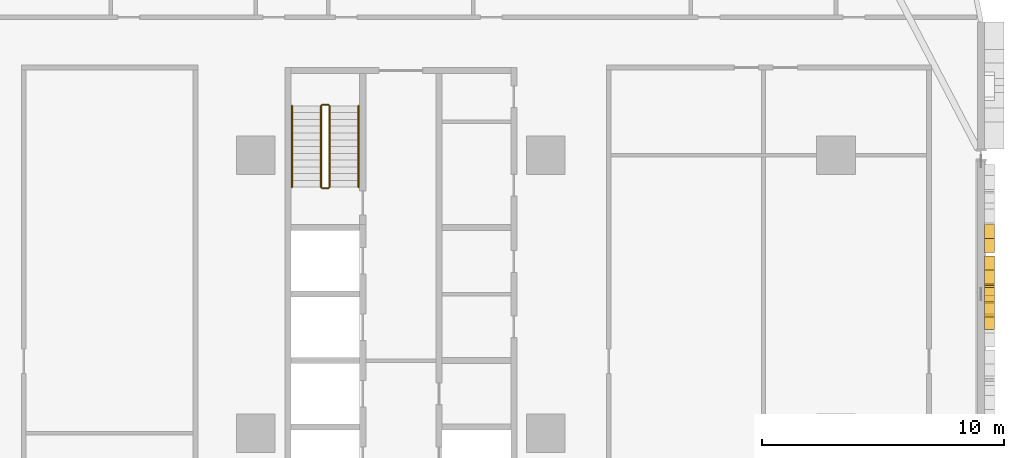
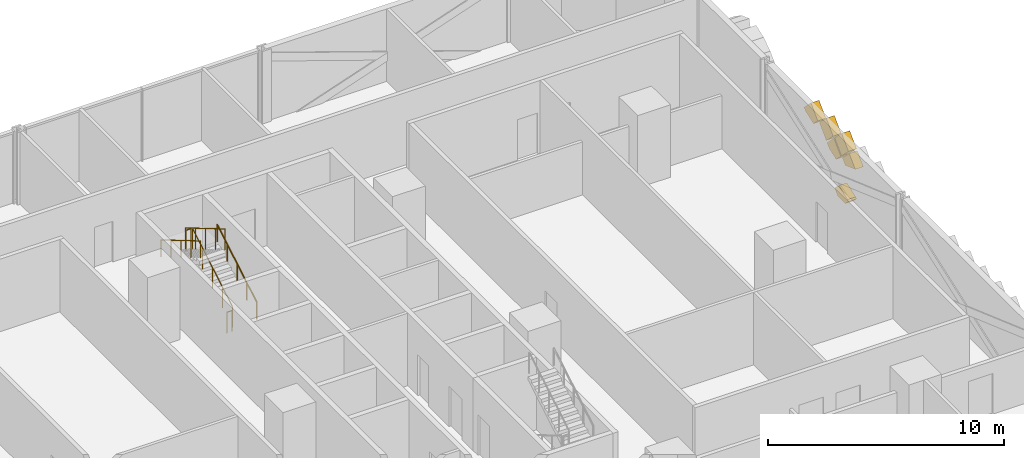
# One storey, part 28 of 29: 6 coverings, 6 railings.
"""IFC4 building model written with IfcOpenShell, lengths in metres."""

from ifc_helpers import new_model, si_unit, direction, frame, origin, origin_2d, place, context, subcontext, project, spatial, polyline, circle, outline, extrude, material, layer, layer_set, type_object, element, save


model = new_model("IFC4")

# Units and contexts
model_context = context("Model", 3, precision=1e-05, world=origin(), true_north=direction((0.0, 1.0)))
body_context = subcontext(model_context, "Body", "Model", "MODEL_VIEW")
ifc_project = project(units=[si_unit("LENGTHUNIT", "METRE"), si_unit("AREAUNIT", "SQUARE_METRE"), si_unit("VOLUMEUNIT", "CUBIC_METRE"), si_unit("PLANEANGLEUNIT", "RADIAN"), si_unit("MASSUNIT", "GRAM", prefix="KILO")], contexts=[model_context])

# Site, building, storey
site_placement = place(None, origin())
site = spatial("IfcSite", under=ifc_project, at=site_placement, CompositionType="ELEMENT")
building_placement = place(site_placement, origin())
building = spatial("IfcBuilding", under=site, at=building_placement, Name="Mahtab Terrace Research Tower", CompositionType="ELEMENT")
storey_placement = place(building_placement, frame((0.0, 0.0, 37.300048828125)))
storey = spatial("IfcBuildingStorey", under=building, at=storey_placement, Name="L08", CompositionType="ELEMENT", Elevation=37.300048828125)

# Coverings
ifc_material_1 = material(Name="Bronze anodised aluminium", Category="aluminium")
ifc_layer = layer(ifc_material_1, 0.39990234375)
ifc_layer_set = layer_set([ifc_layer], Name="Mashrabiya relief panel 400")
covering_type = type_object("IfcCoveringType", Name="Mashrabiya relief panel 400", PredefinedType="CLADDING", material=ifc_layer_set)
covering_1_placement = place(storey_placement, frame((48.14990234375, 4.799072265625, 2.929931640625), z_axis=(-1.0, 0.0, 0.0), x_axis=(0.0, 0.706957932274, -0.707255598772)))
element("IfcCovering", 1, at=covering_1_placement, inside=storey, type_object=covering_type, Name="Mashrabiya lattice cell L08 E35.9", PredefinedType="CLADDING", context=body_context, shape_type="SweptSolid", body=[
    extrude(outline(polyline([(0.0, 0.0), (0.8201817362875763, 0.0), (0.820251937907907, 0.33352789819111284), (0.00015239420065576992, 0.7240248473154902), (0.0, 0.0)])), origin(), (0.0, 0.0, -1.0), 0.39990234375),
])
covering_2_placement = place(storey_placement, frame((48.14990234375, 4.868896484375, 0.39990234375), z_axis=(-1.0, 0.0, 0.0), x_axis=(0.0, 0.708432188712, 0.705778884635)))
element("IfcCovering", 2, at=covering_2_placement, inside=storey, type_object=covering_type, Name="Mashrabiya lattice cell L08 E35.10", PredefinedType="CLADDING", context=body_context, shape_type="SweptSolid", body=[
    extrude(outline(polyline([(0.0, 0.0), (0.09201381291480297, 0.0), (0.8210032782144832, 0.3451083171758159), (0.82189203143578, 0.8188137841270318), (0.44710505712662874, 0.8193443153866835), (0.0008757976349805519, 0.3747863265298354), (0.0, 0.0)])), origin(), (0.0, 0.0, -1.0), 0.39990234375),
])
covering_3_placement = place(storey_placement, frame((48.14990234375, 5.448974609375, 3.579833984375), z_axis=(-1.0, 0.0, 0.0), x_axis=(0.0, 0.707255598772, -0.706957932274)))
element("IfcCovering", 3, at=covering_3_placement, inside=storey, type_object=covering_type, Name="Mashrabiya lattice cell L08 E35.11", PredefinedType="CLADDING", context=body_context, shape_type="SweptSolid", body=[
    extrude(outline(polyline([(0.0, 0.0), (0.8201817362875763, 0.0), (0.8200090664636573, 0.8203543334390104), (-0.0003452669753531423, 0.8201816636150915), (0.0, 0.0)])), origin(), (0.0, 0.0, -1.0), 0.39990234375),
])
covering_4_placement = place(storey_placement, frame((48.14990234375, 5.51904296875, 2.349853515625), z_axis=(-1.0, 0.0, 0.0), x_axis=(0.0, 0.707106781187, 0.707106781187)))
element("IfcCovering", 4, at=covering_4_placement, inside=storey, type_object=covering_type, Name="Mashrabiya lattice cell L08 E35.12", PredefinedType="CLADDING", context=body_context, shape_type="SweptSolid", body=[
    extrude(outline(polyline([(0.0, 0.0), (0.8203543516109556, 0.0), (0.820181718119455, 0.820181718119455), (0.5529450732764921, 0.820181718119455), (0.0001726334915006511, 0.5570882770725071), (0.0, 0.0)])), origin(), (0.0, 0.0, -1.0), 0.39990234375),
])
covering_5_placement = place(storey_placement, frame((48.14990234375, 6.7490234375, 3.579833984375), z_axis=(-1.0, 0.0, 0.0), x_axis=(0.0, 0.707255598772, -0.706957932274)))
element("IfcCovering", 5, at=covering_5_placement, inside=storey, type_object=covering_type, Name="Mashrabiya lattice cell L08 E35.13", PredefinedType="CLADDING", context=body_context, shape_type="SweptSolid", body=[
    extrude(outline(polyline([(0.0, 0.0), (0.8201817362875763, 0.0), (0.8200090664636573, 0.8203543334390104), (-0.0003452669753531423, 0.8201816636150915), (0.0, 0.0)])), origin(), (0.0, 0.0, -1.0), 0.39990234375),
])
covering_6_placement = place(storey_placement, frame((48.14990234375, 7.468994140625, 3.0), z_axis=(-1.0, 0.0, 0.0), x_axis=(0.0, 0.707255598772, 0.706957932274)))
element("IfcCovering", 6, at=covering_6_placement, inside=storey, type_object=covering_type, Name="Mashrabiya lattice cell L08 E35.14", PredefinedType="CLADDING", context=body_context, shape_type="SweptSolid", body=[
    extrude(outline(polyline([(0.0, 0.0), (0.8201817362875763, 0.0), (0.8203543334390104, 0.8200090664636573), (0.64789351558637, 0.8202179998574987), (0.00010777329497974053, 0.5120309244486754), (0.0, 0.0)])), origin(), (0.0, 0.0, -1.0), 0.39990234375),
])

# Railings
ifc_material_2 = material(Name="Stainless steel AISI 304", Category="steel")
railing_type_1 = type_object("IfcRailingType", Name="Stair guard 1100", PredefinedType="GUARDRAIL", material=ifc_material_2)
railing_1_placement = place(storey_placement, frame((21.050048828125, 10.175048828125, 0.165283203125)))
element("IfcRailing", 7, at=railing_1_placement, inside=storey, type_object=railing_type_1, Name="L08 ST3 stair guard 1", PredefinedType="GUARDRAIL", context=body_context, shape_type="SweptSolid", body=[
    extrude(circle(Radius=0.02392578125, at=origin_2d()), frame((0.0, 0.0, 1.076171875), z_axis=(0.0, 0.861011212953, 0.508585972249), x_axis=(-1.0, 0.0, 0.0)), (0.0, 0.0, 1.0), 3.90234375),
    extrude(circle(Radius=0.02099609375, at=origin_2d()), origin(), (0.0, 0.0, 1.0), 1.052001953125),
    extrude(circle(Radius=0.02099609375, at=origin_2d()), frame((0.0, 0.83984375, 0.49609375)), (0.0, 0.0, 1.0), 1.052001953125),
    extrude(circle(Radius=0.02099609375, at=origin_2d()), frame((0.0, 1.679931640625, 0.9921875)), (0.0, 0.0, 1.0), 1.052001953125),
    extrude(circle(Radius=0.02099609375, at=origin_2d()), frame((0.0, 2.52001953125, 1.488525390625)), (0.0, 0.0, 1.0), 1.052001953125),
    extrude(circle(Radius=0.02099609375, at=origin_2d()), frame((0.0, 3.35986328125, 1.984619140625)), (0.0, 0.0, 1.0), 1.052001953125),
])
railing_2_placement = place(storey_placement, frame((21.0, 13.5849609375, 2.14990234375)))
element("IfcRailing", 8, at=railing_2_placement, inside=storey, type_object=railing_type_1, Name="L08 ST3 stair guard 2", PredefinedType="GUARDRAIL", context=body_context, shape_type="SweptSolid", body=[
    extrude(circle(Radius=0.02392578125, at=origin_2d()), frame((0.0, 0.0, 1.076171875), z_axis=(-1.0, 0.0, 0.0), x_axis=(0.0, -1.0, 0.0)), (0.0, 0.0, 1.0), 0.25),
    extrude(circle(Radius=0.02099609375, at=origin_2d()), origin(), (0.0, 0.0, 1.0), 1.052001953125),
    extrude(circle(Radius=0.02099609375, at=origin_2d()), frame((-0.25, 0.0, 0.0)), (0.0, 0.0, 1.0), 1.052001953125),
])
railing_3_placement = place(storey_placement, frame((20.699951171875, 13.534912109375, 2.3154296875)))
element("IfcRailing", 9, at=railing_3_placement, inside=storey, type_object=railing_type_1, Name="L08 ST3 stair guard 3", PredefinedType="GUARDRAIL", context=body_context, shape_type="SweptSolid", body=[
    extrude(circle(Radius=0.02392578125, at=origin_2d()), frame((0.0, 0.0, 1.076171875), z_axis=(0.0, -0.861011212953, 0.508585972249), x_axis=(1.0, 0.0, 0.0)), (0.0, 0.0, 1.0), 3.90234375),
    extrude(circle(Radius=0.02099609375, at=origin_2d()), origin(), (0.0, 0.0, 1.0), 1.052001953125),
    extrude(circle(Radius=0.02099609375, at=origin_2d()), frame((0.0, -0.83984375, 0.49609375)), (0.0, 0.0, 1.0), 1.052001953125),
    extrude(circle(Radius=0.02099609375, at=origin_2d()), frame((0.0, -1.679931640625, 0.9921875)), (0.0, 0.0, 1.0), 1.052001953125),
    extrude(circle(Radius=0.02099609375, at=origin_2d()), frame((0.0, -2.52001953125, 1.488525390625)), (0.0, 0.0, 1.0), 1.052001953125),
    extrude(circle(Radius=0.02099609375, at=origin_2d()), frame((0.0, -3.35986328125, 1.984619140625)), (0.0, 0.0, 1.0), 1.052001953125),
])
railing_4_placement = place(storey_placement, frame((21.0, 10.125, 0.0)))
element("IfcRailing", 10, at=railing_4_placement, inside=storey, type_object=railing_type_1, Name="L08 ST3 stair guard 4", PredefinedType="GUARDRAIL", context=body_context, shape_type="SweptSolid", body=[
    extrude(circle(Radius=0.02392578125, at=origin_2d()), frame((0.0, 0.0, 1.076171875), z_axis=(-1.0, 0.0, 0.0), x_axis=(0.0, -1.0, 0.0)), (0.0, 0.0, 1.0), 0.25),
    extrude(circle(Radius=0.02099609375, at=origin_2d()), origin(), (0.0, 0.0, 1.0), 1.052001953125),
    extrude(circle(Radius=0.02099609375, at=origin_2d()), frame((-0.25, 0.0, 0.0)), (0.0, 0.0, 1.0), 1.052001953125),
])
railing_type_2 = type_object("IfcRailingType", Name="Stair handrail 900", PredefinedType="HANDRAIL", material=ifc_material_2)
railing_5_placement = place(storey_placement, frame((22.25, 10.175048828125, 0.165283203125)))
element("IfcRailing", 11, at=railing_5_placement, inside=storey, type_object=railing_type_2, Name="L08 ST3 stair handrail 1", PredefinedType="HANDRAIL", context=body_context, shape_type="SweptSolid", body=[
    extrude(circle(Radius=0.02392578125, at=origin_2d()), frame((0.0, 0.0, 0.8759765625), z_axis=(0.0, 0.861011212953, 0.508585972249), x_axis=(-1.0, 0.0, 0.0)), (0.0, 0.0, 1.0), 3.90234375),
    extrude(circle(Radius=0.02099609375, at=origin_2d()), origin(), (0.0, 0.0, 1.0), 0.851806640625),
    extrude(circle(Radius=0.02099609375, at=origin_2d()), frame((0.0, 0.83984375, 0.49609375)), (0.0, 0.0, 1.0), 0.851806640625),
    extrude(circle(Radius=0.02099609375, at=origin_2d()), frame((0.0, 1.679931640625, 0.9921875)), (0.0, 0.0, 1.0), 0.851806640625),
    extrude(circle(Radius=0.02099609375, at=origin_2d()), frame((0.0, 2.52001953125, 1.488525390625)), (0.0, 0.0, 1.0), 0.851806640625),
    extrude(circle(Radius=0.02099609375, at=origin_2d()), frame((0.0, 3.35986328125, 1.984619140625)), (0.0, 0.0, 1.0), 0.851806640625),
])
railing_6_placement = place(storey_placement, frame((19.5, 13.534912109375, 2.3154296875)))
element("IfcRailing", 12, at=railing_6_placement, inside=storey, type_object=railing_type_2, Name="L08 ST3 stair handrail 2", PredefinedType="HANDRAIL", context=body_context, shape_type="SweptSolid", body=[
    extrude(circle(Radius=0.02392578125, at=origin_2d()), frame((0.0, 0.0, 0.8759765625), z_axis=(0.0, -0.861011212953, 0.508585972249), x_axis=(1.0, 0.0, 0.0)), (0.0, 0.0, 1.0), 3.90234375),
    extrude(circle(Radius=0.02099609375, at=origin_2d()), origin(), (0.0, 0.0, 1.0), 0.851806640625),
    extrude(circle(Radius=0.02099609375, at=origin_2d()), frame((0.0, -0.83984375, 0.49609375)), (0.0, 0.0, 1.0), 0.851806640625),
    extrude(circle(Radius=0.02099609375, at=origin_2d()), frame((0.0, -1.679931640625, 0.9921875)), (0.0, 0.0, 1.0), 0.851806640625),
    extrude(circle(Radius=0.02099609375, at=origin_2d()), frame((0.0, -2.52001953125, 1.488525390625)), (0.0, 0.0, 1.0), 0.851806640625),
    extrude(circle(Radius=0.02099609375, at=origin_2d()), frame((0.0, -3.35986328125, 1.984619140625)), (0.0, 0.0, 1.0), 0.851806640625),
])

save(model, "model.ifc")
